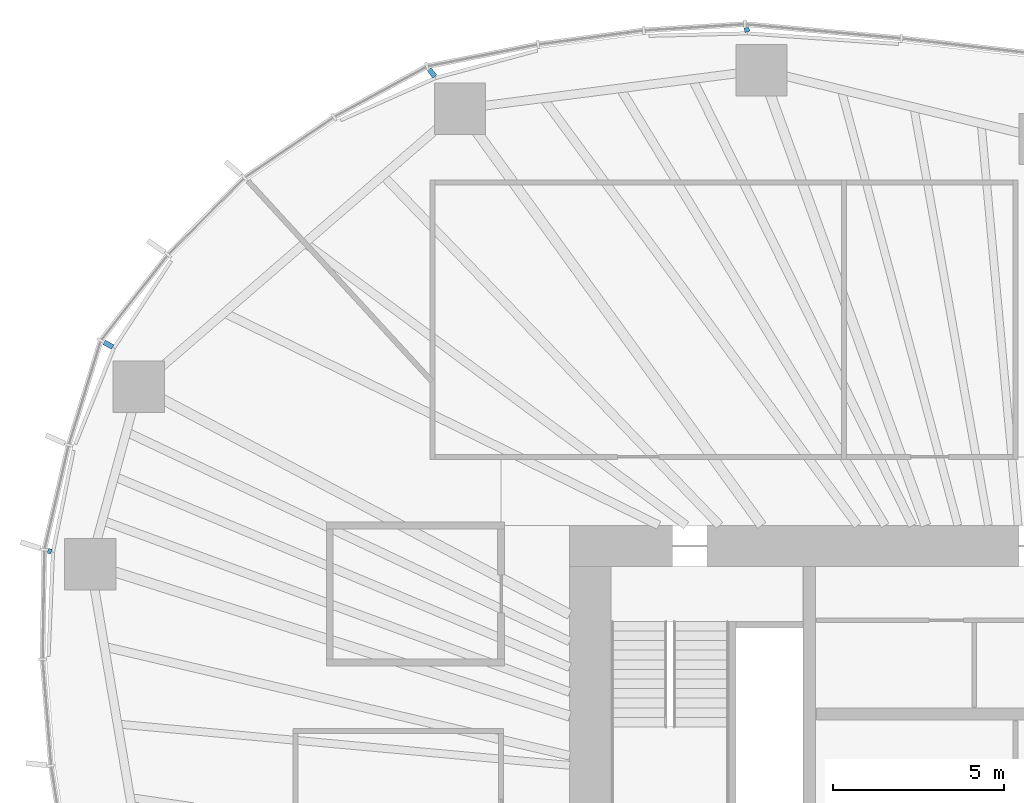
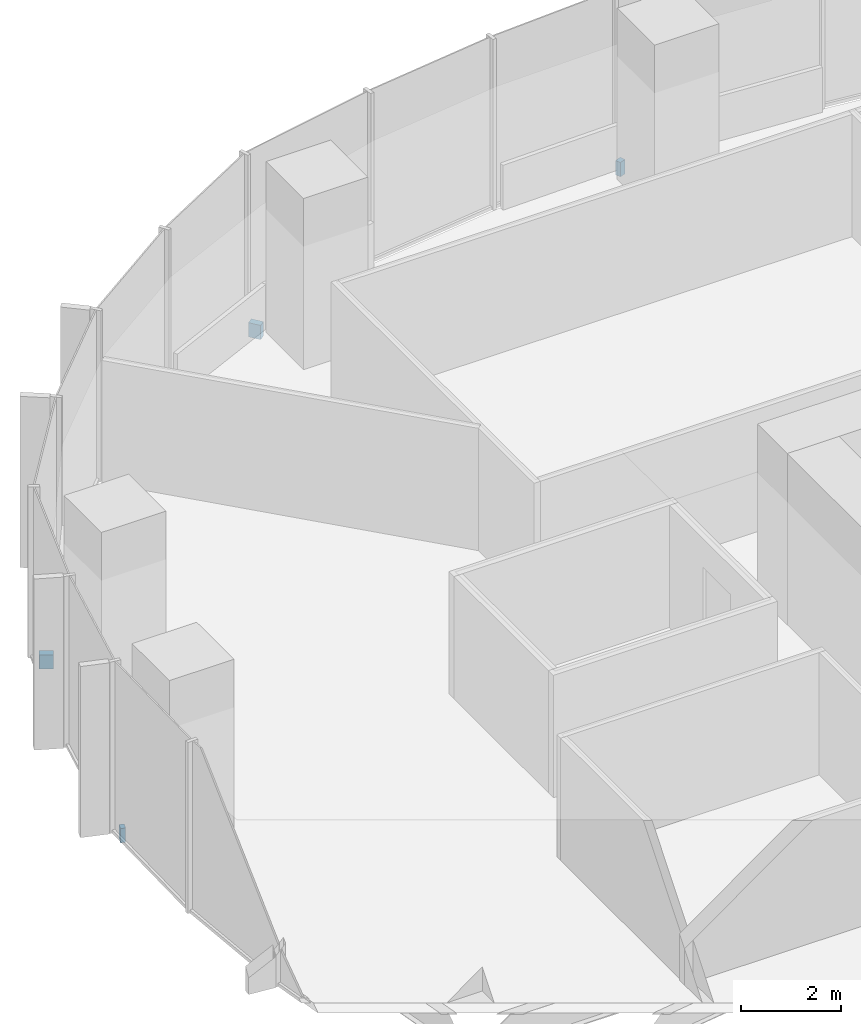
# One storey, part 15 of 18: 4 discrete accessories.
"""IFC4 building model written with IfcOpenShell, lengths in metres."""

from ifc_helpers import new_model, si_unit, direction, frame, origin, origin_2d, place, context, subcontext, project, spatial, rectangle, extrude, material, type_object, element, save


model = new_model("IFC4")

# Units and contexts
model_context = context("Model", 3, precision=1e-05, world=origin(), true_north=direction((0.0, 1.0)))
body_context = subcontext(model_context, "Body", "Model", "MODEL_VIEW")
ifc_project = project(units=[si_unit("LENGTHUNIT", "METRE"), si_unit("AREAUNIT", "SQUARE_METRE"), si_unit("VOLUMEUNIT", "CUBIC_METRE"), si_unit("PLANEANGLEUNIT", "RADIAN"), si_unit("MASSUNIT", "GRAM", prefix="KILO")], contexts=[model_context])

# Site, building, storey
site_placement = place(None, origin())
site = spatial("IfcSite", under=ifc_project, at=site_placement, CompositionType="ELEMENT")
building_placement = place(site_placement, origin())
building = spatial("IfcBuilding", under=site, at=building_placement, Name="Ghaith Harvest Tower", CompositionType="ELEMENT")
storey_placement = place(building_placement, frame((0.0, 0.0, 121.800048828125)))
storey = spatial("IfcBuildingStorey", under=building, at=storey_placement, Name="L25", CompositionType="ELEMENT", Elevation=121.800048828125)

# Discrete accessories
ifc_material_1 = material(Name="Stainless steel grade 1.4401", Category="steel")
discrete_accessory_type_1 = type_object("IfcDiscreteAccessoryType", Name="CURTAIN WALL BRACKET 105", PredefinedType="BRACKET", material=ifc_material_1)
discrete_accessory_1_placement = place(storey_placement, frame((-29.171875, 9.2451171875, -0.25), z_axis=(0.0, 0.0, 1.0), x_axis=(-0.953273219358, 0.302109531884, 0.0)))
element("IfcDiscreteAccessory", 1, at=discrete_accessory_1_placement, inside=storey, type_object=discrete_accessory_type_1, Name="CW-L bracket 1 bay 10 L25", PredefinedType="BRACKET", context=body_context, shape_type="SweptSolid", body=[
    extrude(rectangle(XDim=0.10498046875, YDim=0.14990234375, at=origin_2d()), origin(), (0.0, 0.0, 1.0), 0.35009765625),
])
ifc_material_2 = material(Name="Stainless steel grade 1.4401", Category="steel")
discrete_accessory_type_2 = type_object("IfcDiscreteAccessoryType", Name="CURTAIN WALL BRACKET 125", PredefinedType="BRACKET", material=ifc_material_2)
discrete_accessory_2_placement = place(storey_placement, frame((-8.833984375, 24.45849609375, -0.25), z_axis=(0.0, 0.0, 1.0), x_axis=(-0.339699453402, 0.94053404051, 0.0)))
element("IfcDiscreteAccessory", 2, at=discrete_accessory_2_placement, inside=storey, type_object=discrete_accessory_type_2, Name="CW-L bracket 1 bay 07 L25", PredefinedType="BRACKET", context=body_context, shape_type="SweptSolid", body=[
    extrude(rectangle(XDim=0.125, YDim=0.14990234375, at=origin_2d()), origin(), (0.0, 0.0, 1.0), 0.35009765625),
])
ifc_material_3 = material(Name="Stainless steel grade 1.4401", Category="steel")
discrete_accessory_type_3 = type_object("IfcDiscreteAccessoryType", Name="CURTAIN WALL BRACKET 265", PredefinedType="BRACKET", material=ifc_material_3)
discrete_accessory_3_placement = place(storey_placement, frame((-18.0166015625, 23.197998046875, -0.25), z_axis=(0.0, 0.0, 1.0), x_axis=(-0.613377714422, 0.78978970584, 0.0)))
element("IfcDiscreteAccessory", 3, at=discrete_accessory_3_placement, inside=storey, type_object=discrete_accessory_type_3, Name="CW-L bracket 1 bay 08 L25", PredefinedType="BRACKET", context=body_context, shape_type="SweptSolid", body=[
    extrude(rectangle(XDim=0.264892578125, YDim=0.14990234375, at=origin_2d()), origin(), (0.0, 0.0, 1.0), 0.35009765625),
])
ifc_material_4 = material(Name="Stainless steel grade 1.4401", Category="steel")
discrete_accessory_type_4 = type_object("IfcDiscreteAccessoryType", Name="CURTAIN WALL BRACKET 285", PredefinedType="BRACKET", material=ifc_material_4)
discrete_accessory_4_placement = place(storey_placement, frame((-27.45849609375, 15.271728515625, -0.25), z_axis=(0.0, 0.0, 1.0), x_axis=(-0.873926916005, 0.486057347935, 0.0)))
element("IfcDiscreteAccessory", 4, at=discrete_accessory_4_placement, inside=storey, type_object=discrete_accessory_type_4, Name="CW-L bracket 2 bay 09 L25", PredefinedType="BRACKET", context=body_context, shape_type="SweptSolid", body=[
    extrude(rectangle(XDim=0.284912109375, YDim=0.14990234375, at=origin_2d()), origin(), (0.0, 0.0, 1.0), 0.35009765625),
])

save(model, "model.ifc")
